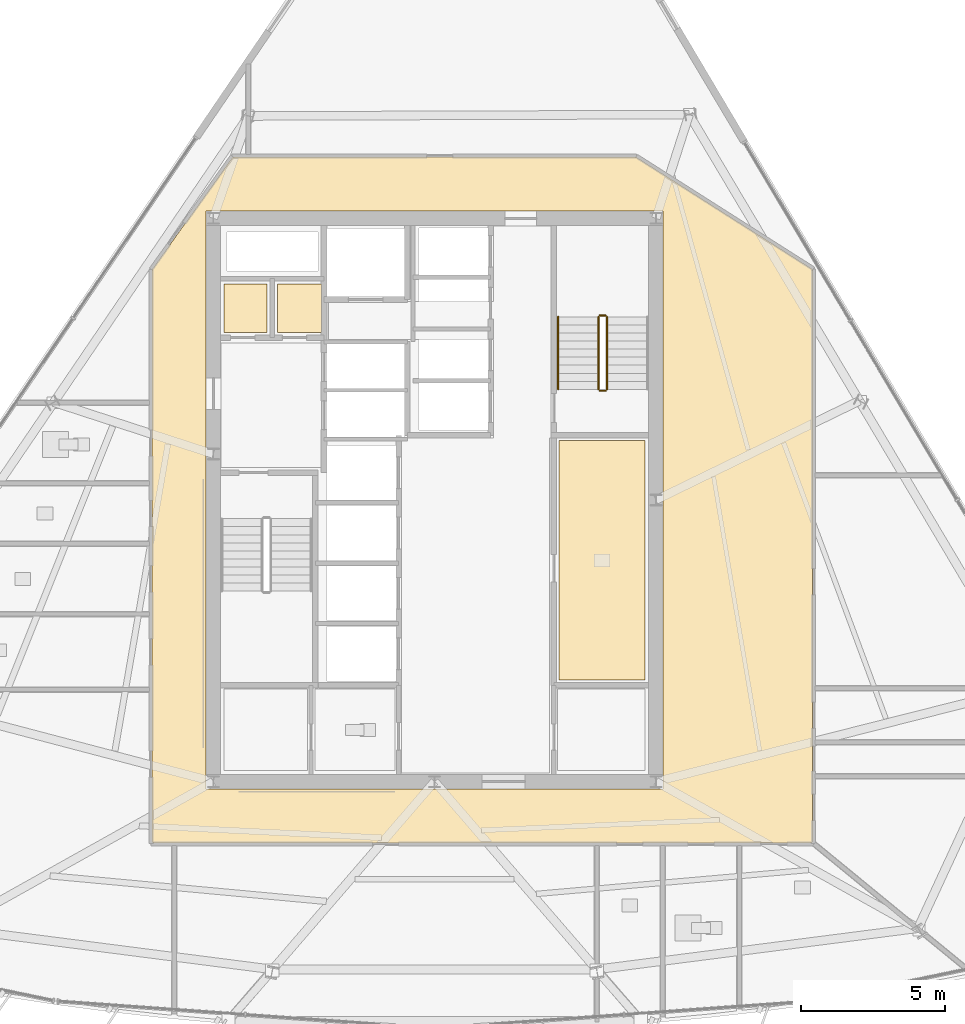
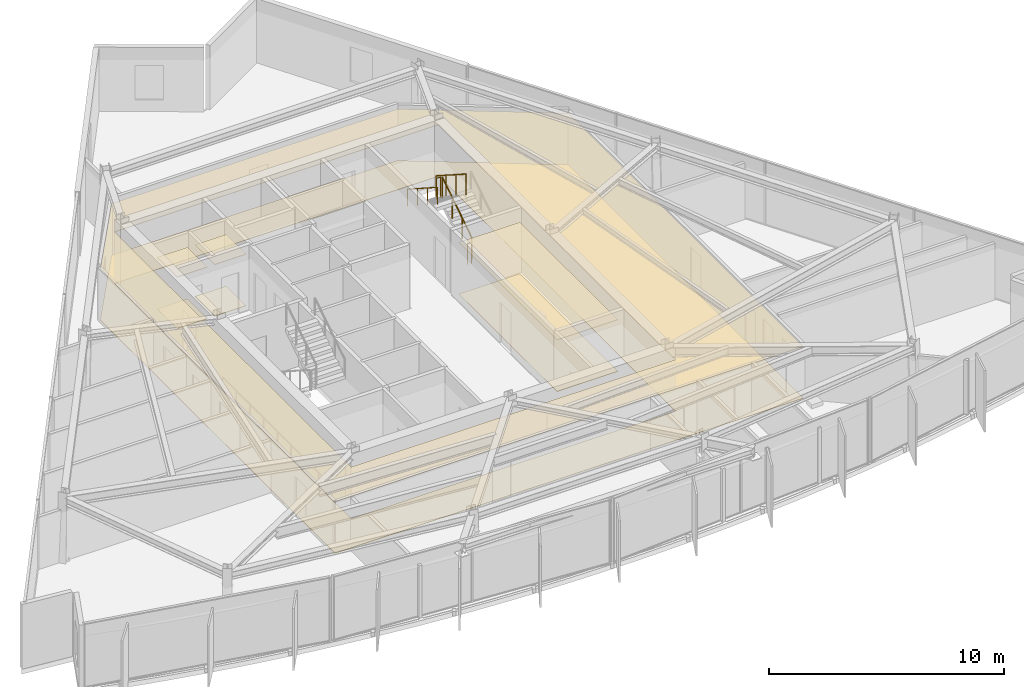
# One storey, part 13 of 15: 8 coverings, 5 railings.
"""IFC4 building model written with IfcOpenShell, lengths in metres."""

from ifc_helpers import new_model, si_unit, direction, frame, origin, origin_2d, place, context, subcontext, project, spatial, polyline, circle, outline, extrude, material, layer, layer_set, type_object, element, save


model = new_model("IFC4")

# Units and contexts
model_context = context("Model", 3, precision=1e-05, world=origin(), true_north=direction((0.0, 1.0)))
body_context = subcontext(model_context, "Body", "Model", "MODEL_VIEW")
ifc_project = project(units=[si_unit("LENGTHUNIT", "METRE"), si_unit("AREAUNIT", "SQUARE_METRE"), si_unit("VOLUMEUNIT", "CUBIC_METRE"), si_unit("PLANEANGLEUNIT", "RADIAN"), si_unit("MASSUNIT", "GRAM", prefix="KILO")], contexts=[model_context])

# Site, building, storey
site_placement = place(None, origin())
site = spatial("IfcSite", under=ifc_project, at=site_placement, CompositionType="ELEMENT")
building_placement = place(site_placement, origin())
building = spatial("IfcBuilding", under=site, at=building_placement, Name="Savorim Split Tower", CompositionType="ELEMENT")
storey_placement = place(building_placement, frame((0.0, 0.0, 201.89990234375)))
storey = spatial("IfcBuildingStorey", under=building, at=storey_placement, Name="L53", CompositionType="ELEMENT", Elevation=201.89990234375)

# Coverings
ifc_material_1 = material(Name="Mineral Fibre Acoustic Ceiling")
ifc_layer_1 = layer(ifc_material_1, 0.02490234375)
ifc_layer_set_1 = layer_set([ifc_layer_1], Name="COV-CEIL-25")
covering_type_1 = type_object("IfcCoveringType", Name="COV-CEIL-25", PredefinedType="CEILING", material=ifc_layer_set_1)
covering_1_placement = place(storey_placement, frame((0.0, 0.0, 2.670166015625)))
element("IfcCovering", 1, at=covering_1_placement, inside=storey, type_object=covering_type_1, Name="L53 Electrical Riser Acoustic Ceiling", PredefinedType="CEILING", context=body_context, shape_type="SweptSolid", body=[
    extrude(outline(polyline([(-7.320068359375, 7.919921875), (-7.320068359375, 6.22998046875), (-5.830078125, 6.22998046875), (-5.830078125, 7.919921875), (-7.320068359375, 7.919921875)])), origin(), (0.0, 0.0, 1.0), 0.02490234375),
])
covering_2_placement = place(storey_placement, frame((0.0, 0.0, 2.670166015625)))
element("IfcCovering", 2, at=covering_2_placement, inside=storey, type_object=covering_type_1, Name="L53 Telecom Riser Acoustic Ceiling", PredefinedType="CEILING", context=body_context, shape_type="SweptSolid", body=[
    extrude(outline(polyline([(-5.469970703125, 7.919921875), (-5.469970703125, 6.22998046875), (-3.929931640625, 6.22998046875), (-3.929931640625, 7.919921875), (-5.469970703125, 7.919921875)])), origin(), (0.0, 0.0, 1.0), 0.02490234375),
])
covering_3_placement = place(storey_placement, frame((0.0, 0.0, 2.670166015625)))
element("IfcCovering", 3, at=covering_3_placement, inside=storey, type_object=covering_type_1, Name="L53 Community Laundry Room Acoustic Ceiling", PredefinedType="CEILING", context=body_context, shape_type="SweptSolid", body=[
    extrude(outline(polyline([(4.330078125, 2.469970703125), (4.330078125, -5.8701171875), (7.320068359375, -5.8701171875), (7.320068359375, 2.469970703125), (4.330078125, 2.469970703125)])), origin(), (0.0, 0.0, 1.0), 0.02490234375),
])
covering_4_placement = place(storey_placement, frame((0.0, 0.0, 2.670166015625)))
element("IfcCovering", 4, at=covering_4_placement, inside=storey, type_object=covering_type_1, Name="L53 Corridor Acoustic Ceiling", PredefinedType="CEILING", context=body_context, shape_type="SweptSolid", body=[
    extrude(outline(polyline([(7.009521484375, 12.3291015625), (7.004638671875, 12.329833984375), (7.0, 12.330078125), (-7.0, 12.330078125), (-7.004638671875, 12.329833984375), (-7.009521484375, 12.3291015625), (-7.013916015625, 12.327880859375), (-7.0185546875, 12.326416015625), (-7.022705078125, 12.324462890625), (-7.027099609375, 12.322021484375), (-7.03076171875, 12.3193359375), (-7.034423828125, 12.31640625), (-7.03759765625, 12.312744140625), (-7.04052734375, 12.30908203125), (-9.820556640625, 8.42919921875), (-9.823486328125, 8.4248046875), (-9.82568359375, 8.420166015625), (-9.82763671875, 8.415283203125), (-9.828857421875, 8.410400390625), (-9.82958984375, 8.4052734375), (-9.830078125, 8.39990234375), (-9.830078125, -11.47998046875), (-9.829833984375, -11.48486328125), (-9.8291015625, -11.48974609375), (-9.827880859375, -11.494384765625), (-9.826171875, -11.4990234375), (-9.82421875, -11.503662109375), (-9.821533203125, -11.5078125), (-9.818603515625, -11.51171875), (-9.8154296875, -11.515380859375), (-9.811767578125, -11.518798828125), (-9.807861328125, -11.521484375), (-9.8037109375, -11.524169921875), (-9.799072265625, -11.526123046875), (-9.79443359375, -11.52783203125), (-9.789794921875, -11.529052734375), (-9.784912109375, -11.52978515625), (-9.780029296875, -11.530029296875), (13.10009765625, -11.530029296875), (13.10498046875, -11.52978515625), (13.10986328125, -11.529052734375), (13.114501953125, -11.52783203125), (13.119140625, -11.526123046875), (13.12353515625, -11.524169921875), (13.127685546875, -11.521484375), (13.131591796875, -11.518798828125), (13.135498046875, -11.515380859375), (13.138671875, -11.51171875), (13.1416015625, -11.5078125), (13.14404296875, -11.503662109375), (13.146240234375, -11.4990234375), (13.147705078125, -11.494384765625), (13.14892578125, -11.48974609375), (13.14990234375, -11.48486328125), (13.14990234375, -11.47998046875), (13.14990234375, 8.39990234375), (13.149658203125, 8.405029296875), (13.14892578125, 8.409912109375), (13.147705078125, 8.414794921875), (13.14599609375, 8.41943359375), (13.143798828125, 8.424072265625), (13.14111328125, 8.42822265625), (13.13818359375, 8.432373046875), (13.134765625, 8.43603515625), (13.130859375, 8.439208984375), (13.126708984375, 8.442138671875), (7.02685546875, 12.322265625), (7.022705078125, 12.324462890625), (7.018310546875, 12.326416015625), (7.013916015625, 12.327880859375), (7.009521484375, 12.3291015625)]), holes=[polyline([(-7.949951171875, 10.449951171875), (-7.949951171875, -9.64990234375), (7.949951171875, -9.64990234375), (7.949951171875, 10.449951171875), (-7.949951171875, 10.449951171875)])]), origin(), (0.0, 0.0, 1.0), 0.02490234375),
])
ifc_material_2 = material(Name="Porcelain Stoneware Flooring", Category="masonry")
ifc_layer_2 = layer(ifc_material_2, 0.02001953125)
ifc_layer_set_2 = layer_set([ifc_layer_2], Name="COV-FLOR-20")
covering_type_2 = type_object("IfcCoveringType", Name="COV-FLOR-20", PredefinedType="FLOORING", material=ifc_layer_set_2)
covering_5_placement = place(storey_placement, origin())
element("IfcCovering", 5, at=covering_5_placement, inside=storey, type_object=covering_type_2, Name="L53 Electrical Riser Porcelain Flooring", PredefinedType="FLOORING", context=body_context, shape_type="SweptSolid", body=[
    extrude(outline(polyline([(-7.320068359375, 7.919921875), (-7.320068359375, 6.22998046875), (-5.830078125, 6.22998046875), (-5.830078125, 7.919921875), (-7.320068359375, 7.919921875)])), origin(), (0.0, 0.0, 1.0), 0.02001953125),
])
covering_6_placement = place(storey_placement, origin())
element("IfcCovering", 6, at=covering_6_placement, inside=storey, type_object=covering_type_2, Name="L53 Telecom Riser Porcelain Flooring", PredefinedType="FLOORING", context=body_context, shape_type="SweptSolid", body=[
    extrude(outline(polyline([(-5.469970703125, 7.919921875), (-5.469970703125, 6.22998046875), (-3.929931640625, 6.22998046875), (-3.929931640625, 7.919921875), (-5.469970703125, 7.919921875)])), origin(), (0.0, 0.0, 1.0), 0.02001953125),
])
covering_7_placement = place(storey_placement, origin())
element("IfcCovering", 7, at=covering_7_placement, inside=storey, type_object=covering_type_2, Name="L53 Community Laundry Room Porcelain Flooring", PredefinedType="FLOORING", context=body_context, shape_type="SweptSolid", body=[
    extrude(outline(polyline([(4.330078125, 2.469970703125), (4.330078125, -5.8701171875), (7.320068359375, -5.8701171875), (7.320068359375, 2.469970703125), (4.330078125, 2.469970703125)])), origin(), (0.0, 0.0, 1.0), 0.02001953125),
])
covering_8_placement = place(storey_placement, origin())
element("IfcCovering", 8, at=covering_8_placement, inside=storey, type_object=covering_type_2, Name="L53 Corridor Porcelain Flooring", PredefinedType="FLOORING", context=body_context, shape_type="SweptSolid", body=[
    extrude(outline(polyline([(7.009521484375, 12.3291015625), (7.004638671875, 12.329833984375), (7.0, 12.330078125), (-7.0, 12.330078125), (-7.004638671875, 12.329833984375), (-7.009521484375, 12.3291015625), (-7.013916015625, 12.327880859375), (-7.0185546875, 12.326416015625), (-7.022705078125, 12.324462890625), (-7.027099609375, 12.322021484375), (-7.03076171875, 12.3193359375), (-7.034423828125, 12.31640625), (-7.03759765625, 12.312744140625), (-7.04052734375, 12.30908203125), (-9.820556640625, 8.42919921875), (-9.823486328125, 8.4248046875), (-9.82568359375, 8.420166015625), (-9.82763671875, 8.415283203125), (-9.828857421875, 8.410400390625), (-9.82958984375, 8.4052734375), (-9.830078125, 8.39990234375), (-9.830078125, -11.47998046875), (-9.829833984375, -11.48486328125), (-9.8291015625, -11.48974609375), (-9.827880859375, -11.494384765625), (-9.826171875, -11.4990234375), (-9.82421875, -11.503662109375), (-9.821533203125, -11.5078125), (-9.818603515625, -11.51171875), (-9.8154296875, -11.515380859375), (-9.811767578125, -11.518798828125), (-9.807861328125, -11.521484375), (-9.8037109375, -11.524169921875), (-9.799072265625, -11.526123046875), (-9.79443359375, -11.52783203125), (-9.789794921875, -11.529052734375), (-9.784912109375, -11.52978515625), (-9.780029296875, -11.530029296875), (13.10009765625, -11.530029296875), (13.10498046875, -11.52978515625), (13.10986328125, -11.529052734375), (13.114501953125, -11.52783203125), (13.119140625, -11.526123046875), (13.12353515625, -11.524169921875), (13.127685546875, -11.521484375), (13.131591796875, -11.518798828125), (13.135498046875, -11.515380859375), (13.138671875, -11.51171875), (13.1416015625, -11.5078125), (13.14404296875, -11.503662109375), (13.146240234375, -11.4990234375), (13.147705078125, -11.494384765625), (13.14892578125, -11.48974609375), (13.14990234375, -11.48486328125), (13.14990234375, -11.47998046875), (13.14990234375, 8.39990234375), (13.149658203125, 8.405029296875), (13.14892578125, 8.409912109375), (13.147705078125, 8.414794921875), (13.14599609375, 8.41943359375), (13.143798828125, 8.424072265625), (13.14111328125, 8.42822265625), (13.13818359375, 8.432373046875), (13.134765625, 8.43603515625), (13.130859375, 8.439208984375), (13.126708984375, 8.442138671875), (7.02685546875, 12.322265625), (7.022705078125, 12.324462890625), (7.018310546875, 12.326416015625), (7.013916015625, 12.327880859375), (7.009521484375, 12.3291015625)]), holes=[polyline([(-7.949951171875, 10.449951171875), (-7.949951171875, -9.64990234375), (7.949951171875, -9.64990234375), (7.949951171875, 10.449951171875), (-7.949951171875, 10.449951171875)])]), origin(), (0.0, 0.0, 1.0), 0.02001953125),
])

# Railings
ifc_material_3 = material(Name="Galvanised Painted Steel Balustrade", Category="steel")
railing_type_1 = type_object("IfcRailingType", Name="RLG-HR-900", PredefinedType="HANDRAIL", material=ifc_material_3)
railing_1_placement = place(storey_placement, frame((4.300048828125, 6.77001953125, 1.97998046875)))
element("IfcRailing", 9, at=railing_1_placement, inside=storey, type_object=railing_type_1, Name="L53 ST-2 stair handrail 2", PredefinedType="HANDRAIL", context=body_context, shape_type="SweptSolid", body=[
    extrude(circle(Radius=0.02392578125, at=origin_2d()), frame((0.0, 0.0, 0.8759765625), z_axis=(0.0, -0.841162588446, 0.540782303519), x_axis=(1.0, 0.0, 0.0)), (0.0, 0.0, 1.0), 2.995849609375),
    extrude(circle(Radius=0.02099609375, at=origin_2d()), origin(), (0.0, 0.0, 1.0), 0.851806640625),
    extrude(circle(Radius=0.02099609375, at=origin_2d()), frame((0.0, -0.840087890625, 0.5400390625)), (0.0, 0.0, 1.0), 0.851806640625),
    extrude(circle(Radius=0.02099609375, at=origin_2d()), frame((0.0, -1.679931640625, 1.080078125)), (0.0, 0.0, 1.0), 0.851806640625),
    extrude(circle(Radius=0.02099609375, at=origin_2d()), frame((0.0, -2.52001953125, 1.6201171875)), (0.0, 0.0, 1.0), 0.851806640625),
])
railing_type_2 = type_object("IfcRailingType", Name="RLG-STG-1100", PredefinedType="BALUSTRADE", material=ifc_material_3)
railing_2_placement = place(storey_placement, frame((6.0, 4.25, 0.18017578125)))
element("IfcRailing", 10, at=railing_2_placement, inside=storey, type_object=railing_type_2, Name="L53 ST-2 stair guard 1", PredefinedType="BALUSTRADE", context=body_context, shape_type="SweptSolid", body=[
    extrude(circle(Radius=0.02392578125, at=origin_2d()), frame((0.0, 0.0, 1.076171875), z_axis=(0.0, 0.841199657755, 0.540724639528), x_axis=(-1.0, 0.0, 0.0)), (0.0, 0.0, 1.0), 2.995849609375),
    extrude(circle(Radius=0.02099609375, at=origin_2d()), origin(), (0.0, 0.0, 1.0), 1.052001953125),
    extrude(circle(Radius=0.02099609375, at=origin_2d()), frame((0.0, 0.840087890625, 0.5400390625)), (0.0, 0.0, 1.0), 1.052001953125),
    extrude(circle(Radius=0.02099609375, at=origin_2d()), frame((0.0, 1.679931640625, 1.079833984375)), (0.0, 0.0, 1.0), 1.052001953125),
    extrude(circle(Radius=0.02099609375, at=origin_2d()), frame((0.0, 2.52001953125, 1.619873046875)), (0.0, 0.0, 1.0), 1.052001953125),
])
railing_3_placement = place(storey_placement, frame((5.949951171875, 6.820068359375, 1.800048828125)))
element("IfcRailing", 11, at=railing_3_placement, inside=storey, type_object=railing_type_2, Name="L53 ST-2 stair guard 2", PredefinedType="BALUSTRADE", context=body_context, shape_type="SweptSolid", body=[
    extrude(circle(Radius=0.02392578125, at=origin_2d()), frame((0.0, 0.0, 1.076171875), z_axis=(-1.0, 0.0, 0.0), x_axis=(0.0, -1.0, 0.0)), (0.0, 0.0, 1.0), 0.199951171875),
    extrude(circle(Radius=0.02099609375, at=origin_2d()), origin(), (0.0, 0.0, 1.0), 1.052001953125),
    extrude(circle(Radius=0.02099609375, at=origin_2d()), frame((-0.199951171875, 0.0, 0.0)), (0.0, 0.0, 1.0), 1.052001953125),
])
railing_4_placement = place(storey_placement, frame((5.699951171875, 6.77001953125, 1.97998046875)))
element("IfcRailing", 12, at=railing_4_placement, inside=storey, type_object=railing_type_2, Name="L53 ST-2 stair guard 3", PredefinedType="BALUSTRADE", context=body_context, shape_type="SweptSolid", body=[
    extrude(circle(Radius=0.02392578125, at=origin_2d()), frame((0.0, 0.0, 1.076171875), z_axis=(0.0, -0.841162588446, 0.540782303519), x_axis=(1.0, 0.0, 0.0)), (0.0, 0.0, 1.0), 2.995849609375),
    extrude(circle(Radius=0.02099609375, at=origin_2d()), origin(), (0.0, 0.0, 1.0), 1.052001953125),
    extrude(circle(Radius=0.02099609375, at=origin_2d()), frame((0.0, -0.840087890625, 0.5400390625)), (0.0, 0.0, 1.0), 1.052001953125),
    extrude(circle(Radius=0.02099609375, at=origin_2d()), frame((0.0, -1.679931640625, 1.080078125)), (0.0, 0.0, 1.0), 1.052001953125),
    extrude(circle(Radius=0.02099609375, at=origin_2d()), frame((0.0, -2.52001953125, 1.6201171875)), (0.0, 0.0, 1.0), 1.052001953125),
])
railing_5_placement = place(storey_placement, frame((5.949951171875, 4.199951171875, 0.0)))
element("IfcRailing", 13, at=railing_5_placement, inside=storey, type_object=railing_type_2, Name="L53 ST-2 stair guard 4", PredefinedType="BALUSTRADE", context=body_context, shape_type="SweptSolid", body=[
    extrude(circle(Radius=0.02392578125, at=origin_2d()), frame((0.0, 0.0, 1.076171875), z_axis=(-1.0, 0.0, 0.0), x_axis=(0.0, -1.0, 0.0)), (0.0, 0.0, 1.0), 0.199951171875),
    extrude(circle(Radius=0.02099609375, at=origin_2d()), origin(), (0.0, 0.0, 1.0), 1.052001953125),
    extrude(circle(Radius=0.02099609375, at=origin_2d()), frame((-0.199951171875, 0.0, 0.0)), (0.0, 0.0, 1.0), 1.052001953125),
])

save(model, "model.ifc")
